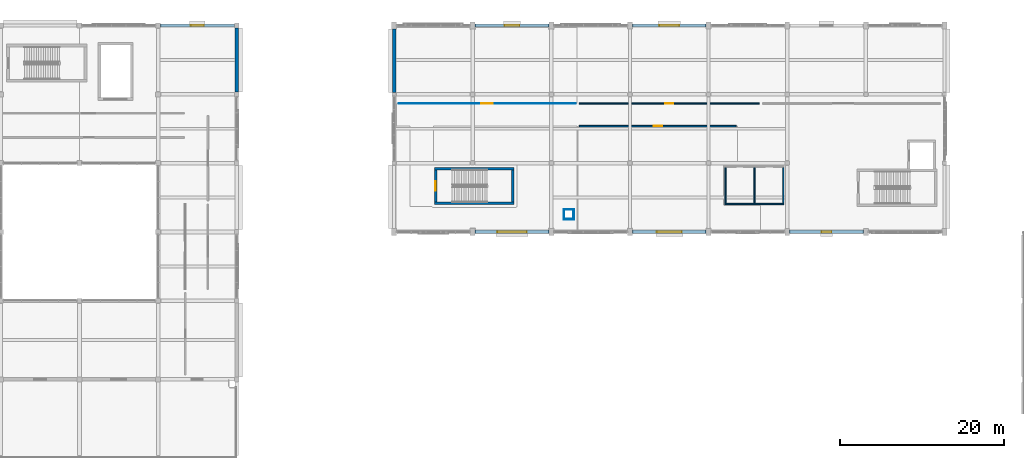
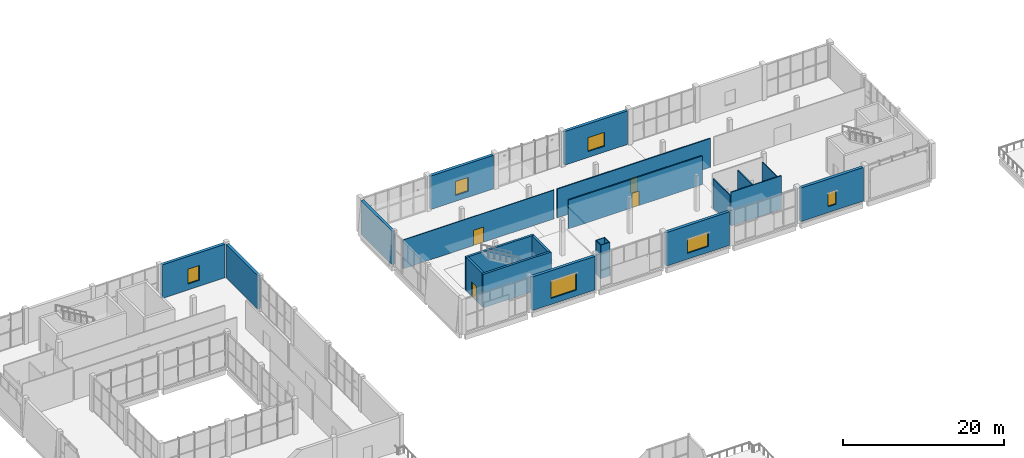
# One storey, part 57 of 83: 23 walls, 6 windows, 4 doors, 10 openings.
"""IFC4 building model written with IfcOpenShell, lengths in metres."""

from ifc_helpers import new_model, si_unit, direction, frame, frame_2d, origin, place, context, subcontext, project, spatial, rectangle, extrude, material, layer, layer_set, type_object, element, fill, save


model = new_model("IFC4")

# Units and contexts
model_context = context("Model", 3, precision=1e-05, world=origin(), true_north=direction((0.0, 1.0)))
body_context = subcontext(model_context, "Body", "Model", "MODEL_VIEW")
ifc_project = project(units=[si_unit("LENGTHUNIT", "METRE"), si_unit("AREAUNIT", "SQUARE_METRE"), si_unit("VOLUMEUNIT", "CUBIC_METRE"), si_unit("PLANEANGLEUNIT", "RADIAN"), si_unit("MASSUNIT", "GRAM", prefix="KILO")], contexts=[model_context])

# Site, building, storey
site_placement = place(None, origin())
site = spatial("IfcSite", under=ifc_project, at=site_placement, CompositionType="ELEMENT")
building_placement = place(site_placement, origin())
building = spatial("IfcBuilding", under=site, at=building_placement, Name="Shalvenor Court Art Gallery", CompositionType="ELEMENT")
storey_placement = place(building_placement, frame((0.0, 0.0, 6.0)))
storey = spatial("IfcBuildingStorey", under=building, at=storey_placement, Name="L01", CompositionType="ELEMENT", Elevation=6.0)

# Walls
ifc_material_1 = material(Name="Concrete C40/50", Category="concrete")
ifc_layer_1 = layer(ifc_material_1, 0.31005859375, Name="Concrete C40/50")
ifc_layer_set_1 = layer_set([ifc_layer_1], Name="Concrete C40/50")
wall_type_1 = type_object("IfcWallType", Name="CW-W2", PredefinedType="SHEAR", material=ifc_layer_set_1)
wall_1_placement = place(storey_placement, frame((62.528076171875, 104.9169921875, 0.0), z_axis=(0.0, 0.0, 1.0), x_axis=(1.0, 0.0, 0.0)))
element("IfcWall", 1, at=wall_1_placement, inside=storey, type_object=wall_type_1, Name="L01 C9 Stair Core Shear Wall N", PredefinedType="SHEAR", context=body_context, shape_type="SweptSolid", body=[
    extrude(rectangle(XDim=9.743896484375, YDim=0.31005859375, at=frame_2d((4.8720703125, 0.0))), origin(), (0.0, 0.0, 1.0), 5.080078125),
])
wall_2_placement = place(storey_placement, frame((72.116943359375, 104.761962890625, 0.0), z_axis=(0.0, 0.0, 1.0), x_axis=(0.0, -1.0, 0.0)))
element("IfcWall", 2, at=wall_2_placement, inside=storey, type_object=wall_type_1, Name="L01 C9 Stair Core Shear Wall E", PredefinedType="SHEAR", context=body_context, shape_type="SweptSolid", body=[
    extrude(rectangle(XDim=3.924072265625, YDim=0.31005859375, at=frame_2d((1.9619140625, 0.0))), origin(), (0.0, 0.0, 1.0), 5.080078125),
])
wall_3_placement = place(storey_placement, frame((72.27197265625, 100.68310546875, 0.0), z_axis=(0.0, 0.0, 1.0), x_axis=(-1.0, 0.0, 0.0)))
element("IfcWall", 3, at=wall_3_placement, inside=storey, type_object=wall_type_1, Name="L01 C9 Stair Core Shear Wall S", PredefinedType="SHEAR", context=body_context, shape_type="SweptSolid", body=[
    extrude(rectangle(XDim=9.743896484375, YDim=0.31005859375, at=frame_2d((4.8720703125, 0.0))), origin(), (0.0, 0.0, 1.0), 5.080078125),
])

# Wall, opening, door
wall_4_placement = place(storey_placement, frame((62.68310546875, 100.837890625, 0.0), z_axis=(0.0, 0.0, 1.0), x_axis=(0.0, 1.0, 0.0)))
wall_4 = element("IfcWall", 4, at=wall_4_placement, inside=storey, type_object=wall_type_1, Name="L01 C9 Stair Core Shear Wall W", PredefinedType="SHEAR", context=body_context, shape_type="SweptSolid", body=[
    extrude(rectangle(XDim=3.924072265625, YDim=0.31005859375, at=frame_2d((1.9619140625, 0.0))), origin(), (0.0, 0.0, 1.0), 5.080078125),
])
opening_1_placement = place(wall_4_placement, frame((1.362060546875, 0.0, 0.0)))
opening_1 = element("IfcOpeningElement", 5, at=opening_1_placement, cuts=wall_4, Name="Opening FD-01", PredefinedType="OPENING", context=body_context, shape_type="SweptSolid", body=[
    extrude(rectangle(XDim=1.199951171875, YDim=2.199951171875, at=frame_2d((0.60009765625, 1.10009765625))), frame((0.0, 0.1650390625, 0.0), z_axis=(0.0, -1.0, 0.0), x_axis=(1.0, 0.0, 0.0)), (0.0, 0.0, 1.0), 0.330078125),
])
ifc_material_2 = material(Name="Fire-rated steel stair doorset", Category="steel")
door_type_1 = type_object("IfcDoorType", Name="FD-01", OperationType="NOTDEFINED", PredefinedType="DOOR", material=ifc_material_2)
door_1_placement = place(opening_1_placement, origin())
door_1 = element("IfcDoor", 6, at=door_1_placement, inside=storey, type_object=door_type_1, Name="DR-ST-L01-C9 L01 ST-09 Fire Stair Door", OperationType="SINGLE_SWING_RIGHT", OverallHeight=2.199951171875, OverallWidth=1.199951171875, PredefinedType="DOOR", context=body_context, shape_type="SweptSolid", body=[
    extrude(rectangle(XDim=1.199951171875, YDim=2.199951171875, at=frame_2d((0.60009765625, 1.10009765625))), frame((0.0, 0.02490234375, 0.0), z_axis=(0.0, -1.0, 0.0), x_axis=(1.0, 0.0, 0.0)), (0.0, 0.0, 1.0), 0.050048828125),
])
fill(opening_1, door_1)

# Wall, opening, window
ifc_material_3 = material(Name="Concrete C40/50", Category="concrete")
ifc_layer_2 = layer(ifc_material_3, 0.419921875, Name="Concrete C40/50")
ifc_layer_set_2 = layer_set([ifc_layer_2], Name="Concrete C40/50")
wall_type_2 = type_object("IfcWallType", Name="EW-02", PredefinedType="SOLIDWALL", material=ifc_layer_set_2)
wall_5_placement = place(storey_placement, frame((67.5, 122.39990234375, 0.0), z_axis=(0.0, 0.0, 1.0), x_axis=(1.0, 0.0, 0.0)))
wall_5 = element("IfcWall", 7, at=wall_5_placement, inside=storey, type_object=wall_type_2, Name="L01 V2 Exterior Wall WL-L01-0132", PredefinedType="SOLIDWALL", context=body_context, shape_type="SweptSolid", body=[
    extrude(rectangle(XDim=9.0, YDim=0.419921875, at=frame_2d((4.5, 0.0))), origin(), (0.0, 0.0, 1.0), 5.080078125),
])
opening_2_placement = place(wall_5_placement, frame((3.60009765625, 0.0, 0.89990234375)))
opening_2 = element("IfcOpeningElement", 8, at=opening_2_placement, cuts=wall_5, Name="Opening WN-05", PredefinedType="OPENING", context=body_context, shape_type="SweptSolid", body=[
    extrude(rectangle(XDim=1.800048828125, YDim=2.10009765625, at=frame_2d((0.89990234375, 1.050048828125))), frame((0.0, 0.219970703125, 0.0), z_axis=(0.0, -1.0, 0.0), x_axis=(1.0, 0.0, 0.0)), (0.0, 0.0, 1.0), 0.43994140625),
])
ifc_material_4 = material(Name="Low-iron solar-control double IGU", Category="glass")
window_type_1 = type_object("IfcWindowType", Name="WN-05", PartitioningType="SINGLE_PANEL", PredefinedType="WINDOW", material=ifc_material_4)
window_1_placement = place(opening_2_placement, origin())
window_1 = element("IfcWindow", 9, at=window_1_placement, inside=storey, type_object=window_type_1, Name="L01 Window WIN-L01-0027", OverallHeight=2.10009765625, OverallWidth=1.800048828125, PartitioningType="SINGLE_PANEL", PredefinedType="WINDOW", context=body_context, shape_type="SweptSolid", body=[
    extrude(rectangle(XDim=1.800048828125, YDim=2.10009765625, at=frame_2d((0.89990234375, 1.050048828125))), frame((0.0, 0.030029296875, 0.0), z_axis=(0.0, -1.0, 0.0), x_axis=(1.0, 0.0, 0.0)), (0.0, 0.0, 1.0), 0.06005859375),
])
fill(opening_2, window_1)

wall_6_placement = place(storey_placement, frame((86.699951171875, 122.39990234375, 0.0), z_axis=(0.0, 0.0, 1.0), x_axis=(1.0, 0.0, 0.0)))
wall_6 = element("IfcWall", 10, at=wall_6_placement, inside=storey, type_object=wall_type_2, Name="L01 V2 Exterior Wall WL-L01-0133", PredefinedType="SOLIDWALL", context=body_context, shape_type="SweptSolid", body=[
    extrude(rectangle(XDim=9.0, YDim=0.419921875, at=frame_2d((4.5, 0.0))), origin(), (0.0, 0.0, 1.0), 5.080078125),
])
opening_3_placement = place(wall_6_placement, frame((3.300048828125, 0.0, 0.89990234375)))
opening_3 = element("IfcOpeningElement", 11, at=opening_3_placement, cuts=wall_6, Name="Opening WN-06", PredefinedType="OPENING", context=body_context, shape_type="SweptSolid", body=[
    extrude(rectangle(XDim=2.39990234375, YDim=2.10009765625, at=frame_2d((1.199951171875, 1.050048828125))), frame((0.0, 0.219970703125, 0.0), z_axis=(0.0, -1.0, 0.0), x_axis=(1.0, 0.0, 0.0)), (0.0, 0.0, 1.0), 0.43994140625),
])
ifc_material_5 = material(Name="Low-iron solar-control double IGU", Category="glass")
window_type_2 = type_object("IfcWindowType", Name="WN-06", PartitioningType="SINGLE_PANEL", PredefinedType="WINDOW", material=ifc_material_5)
window_2_placement = place(opening_3_placement, origin())
window_2 = element("IfcWindow", 12, at=window_2_placement, inside=storey, type_object=window_type_2, Name="L01 Window WIN-L01-0028", OverallHeight=2.10009765625, OverallWidth=2.39990234375, PartitioningType="SINGLE_PANEL", PredefinedType="WINDOW", context=body_context, shape_type="SweptSolid", body=[
    extrude(rectangle(XDim=2.39990234375, YDim=2.10009765625, at=frame_2d((1.199951171875, 1.050048828125))), frame((0.0, 0.030029296875, 0.0), z_axis=(0.0, -1.0, 0.0), x_axis=(1.0, 0.0, 0.0)), (0.0, 0.0, 1.0), 0.06005859375),
])
fill(opening_3, window_2)

wall_7_placement = place(storey_placement, frame((114.89990234375, 97.199951171875, 0.0), z_axis=(0.0, 0.0, 1.0), x_axis=(-1.0, 0.0, 0.0)))
wall_7 = element("IfcWall", 13, at=wall_7_placement, inside=storey, type_object=wall_type_2, Name="L01 V2 Exterior Wall WL-L01-0137", PredefinedType="SOLIDWALL", context=body_context, shape_type="SweptSolid", body=[
    extrude(rectangle(XDim=9.0, YDim=0.419921875, at=frame_2d((4.5, 0.0))), origin(), (0.0, 0.0, 1.0), 5.080078125),
])
opening_4_placement = place(wall_7_placement, frame((3.89990234375, 0.0, 0.89990234375)))
opening_4 = element("IfcOpeningElement", 14, at=opening_4_placement, cuts=wall_7, Name="Opening WN-08", PredefinedType="OPENING", context=body_context, shape_type="SweptSolid", body=[
    extrude(rectangle(XDim=1.199951171875, YDim=2.10009765625, at=frame_2d((0.60009765625, 1.050048828125))), frame((0.0, 0.219970703125, 0.0), z_axis=(0.0, -1.0, 0.0), x_axis=(1.0, 0.0, 0.0)), (0.0, 0.0, 1.0), 0.43994140625),
])
ifc_material_6 = material(Name="Low-iron solar-control double IGU", Category="glass")
window_type_3 = type_object("IfcWindowType", Name="WN-08", PartitioningType="SINGLE_PANEL", PredefinedType="WINDOW", material=ifc_material_6)
window_3_placement = place(opening_4_placement, origin())
window_3 = element("IfcWindow", 15, at=window_3_placement, inside=storey, type_object=window_type_3, Name="L01 Window WIN-L01-0030", OverallHeight=2.10009765625, OverallWidth=1.199951171875, PartitioningType="SINGLE_PANEL", PredefinedType="WINDOW", context=body_context, shape_type="SweptSolid", body=[
    extrude(rectangle(XDim=1.199951171875, YDim=2.10009765625, at=frame_2d((0.60009765625, 1.050048828125))), frame((0.0, 0.030029296875, 0.0), z_axis=(0.0, -1.0, 0.0), x_axis=(1.0, 0.0, 0.0)), (0.0, 0.0, 1.0), 0.06005859375),
])
fill(opening_4, window_3)

wall_8_placement = place(storey_placement, frame((95.699951171875, 97.199951171875, 0.0), z_axis=(0.0, 0.0, 1.0), x_axis=(-1.0, 0.0, 0.0)))
wall_8 = element("IfcWall", 16, at=wall_8_placement, inside=storey, type_object=wall_type_2, Name="L01 V2 Exterior Wall WL-L01-0138", PredefinedType="SOLIDWALL", context=body_context, shape_type="SweptSolid", body=[
    extrude(rectangle(XDim=9.0, YDim=0.419921875, at=frame_2d((4.5, 0.0))), origin(), (0.0, 0.0, 1.0), 5.080078125),
])
opening_5_placement = place(wall_8_placement, frame((3.0, 0.0, 0.89990234375)))
opening_5 = element("IfcOpeningElement", 17, at=opening_5_placement, cuts=wall_8, Name="Opening WN-09", PredefinedType="OPENING", context=body_context, shape_type="SweptSolid", body=[
    extrude(rectangle(XDim=3.0, YDim=2.199951171875, at=frame_2d((1.5, 1.10009765625))), frame((0.0, 0.219970703125, 0.0), z_axis=(0.0, -1.0, 0.0), x_axis=(1.0, 0.0, 0.0)), (0.0, 0.0, 1.0), 0.43994140625),
])
ifc_material_7 = material(Name="North-light conservation clear IGU", Category="glass")
window_type_4 = type_object("IfcWindowType", Name="WN-09", PartitioningType="SINGLE_PANEL", PredefinedType="WINDOW", material=ifc_material_7)
window_4_placement = place(opening_5_placement, origin())
window_4 = element("IfcWindow", 18, at=window_4_placement, inside=storey, type_object=window_type_4, Name="L01 Window WIN-L01-0031", OverallHeight=2.199951171875, OverallWidth=3.0, PartitioningType="SINGLE_PANEL", PredefinedType="WINDOW", context=body_context, shape_type="SweptSolid", body=[
    extrude(rectangle(XDim=3.0, YDim=2.199951171875, at=frame_2d((1.5, 1.10009765625))), frame((0.0, 0.030029296875, 0.0), z_axis=(0.0, -1.0, 0.0), x_axis=(1.0, 0.0, 0.0)), (0.0, 0.0, 1.0), 0.06005859375),
])
fill(opening_5, window_4)

wall_9_placement = place(storey_placement, frame((76.5, 97.199951171875, 0.0), z_axis=(0.0, 0.0, 1.0), x_axis=(-1.0, 0.0, 0.0)))
wall_9 = element("IfcWall", 19, at=wall_9_placement, inside=storey, type_object=wall_type_2, Name="L01 V2 Exterior Wall WL-L01-0139", PredefinedType="SOLIDWALL", context=body_context, shape_type="SweptSolid", body=[
    extrude(rectangle(XDim=9.0, YDim=0.419921875, at=frame_2d((4.5, 0.0))), origin(), (0.0, 0.0, 1.0), 5.080078125),
])
opening_6_placement = place(wall_9_placement, frame((2.699951171875, 0.0, 0.89990234375)))
opening_6 = element("IfcOpeningElement", 20, at=opening_6_placement, cuts=wall_9, Name="Opening WN-10", PredefinedType="OPENING", context=body_context, shape_type="SweptSolid", body=[
    extrude(rectangle(XDim=3.60009765625, YDim=2.699951171875, at=frame_2d((1.800048828125, 1.35009765625))), frame((0.0, 0.219970703125, 0.0), z_axis=(0.0, -1.0, 0.0), x_axis=(1.0, 0.0, 0.0)), (0.0, 0.0, 1.0), 0.43994140625),
])
ifc_material_8 = material(Name="North-light conservation clear IGU", Category="glass")
window_type_5 = type_object("IfcWindowType", Name="WN-10", PartitioningType="SINGLE_PANEL", PredefinedType="WINDOW", material=ifc_material_8)
window_5_placement = place(opening_6_placement, origin())
window_5 = element("IfcWindow", 21, at=window_5_placement, inside=storey, type_object=window_type_5, Name="L01 Window WIN-L01-0032", OverallHeight=2.699951171875, OverallWidth=3.60009765625, PartitioningType="SINGLE_PANEL", PredefinedType="WINDOW", context=body_context, shape_type="SweptSolid", body=[
    extrude(rectangle(XDim=3.60009765625, YDim=2.699951171875, at=frame_2d((1.800048828125, 1.35009765625))), frame((0.0, 0.030029296875, 0.0), z_axis=(0.0, -1.0, 0.0), x_axis=(1.0, 0.0, 0.0)), (0.0, 0.0, 1.0), 0.06005859375),
])
fill(opening_6, window_5)

# Wall
wall_10_placement = place(storey_placement, frame((57.60009765625, 114.25, 0.0), z_axis=(0.0, 0.0, 1.0), x_axis=(0.0, 1.0, 0.0)))
element("IfcWall", 22, at=wall_10_placement, inside=storey, type_object=wall_type_2, Name="L01 V2 Exterior Wall WL-L01-0141", PredefinedType="SOLIDWALL", context=body_context, shape_type="SweptSolid", body=[
    extrude(rectangle(XDim=7.699951171875, YDim=0.419921875, at=frame_2d((3.85009765625, 0.0))), origin(), (0.0, 0.0, 1.0), 5.080078125),
])

# Wall, opening, window
wall_11_placement = place(storey_placement, frame((29.10009765625, 122.39990234375, 0.0), z_axis=(0.0, 0.0, 1.0), x_axis=(1.0, 0.0, 0.0)))
wall_11 = element("IfcWall", 23, at=wall_11_placement, inside=storey, type_object=wall_type_2, Name="L01 V5 Exterior Wall WL-L01-0294", PredefinedType="SOLIDWALL", context=body_context, shape_type="SweptSolid", body=[
    extrude(rectangle(XDim=9.0, YDim=0.419921875, at=frame_2d((4.5, 0.0))), origin(), (0.0, 0.0, 1.0), 5.080078125),
])
opening_7_placement = place(wall_11_placement, frame((3.699951171875, 0.0, 0.89990234375)))
opening_7 = element("IfcOpeningElement", 24, at=opening_7_placement, cuts=wall_11, Name="Opening WN-15", PredefinedType="OPENING", context=body_context, shape_type="SweptSolid", body=[
    extrude(rectangle(XDim=1.60009765625, YDim=2.25, at=frame_2d((0.800048828125, 1.125))), frame((0.0, 0.219970703125, 0.0), z_axis=(0.0, -1.0, 0.0), x_axis=(1.0, 0.0, 0.0)), (0.0, 0.0, 1.0), 0.43994140625),
])
ifc_material_9 = material(Name="Low-iron solar-control double IGU", Category="glass")
window_type_6 = type_object("IfcWindowType", Name="WN-15", PartitioningType="SINGLE_PANEL", PredefinedType="WINDOW", material=ifc_material_9)
window_6_placement = place(opening_7_placement, origin())
window_6 = element("IfcWindow", 25, at=window_6_placement, inside=storey, type_object=window_type_6, Name="L01 Window WIN-L01-0059", OverallHeight=2.25, OverallWidth=1.60009765625, PartitioningType="SINGLE_PANEL", PredefinedType="WINDOW", context=body_context, shape_type="SweptSolid", body=[
    extrude(rectangle(XDim=1.60009765625, YDim=2.25, at=frame_2d((0.800048828125, 1.125))), frame((0.0, 0.030029296875, 0.0), z_axis=(0.0, -1.0, 0.0), x_axis=(1.0, 0.0, 0.0)), (0.0, 0.0, 1.0), 0.06005859375),
])
fill(opening_7, window_6)

# Wall
wall_12_placement = place(storey_placement, frame((38.39990234375, 122.10009765625, 0.0), z_axis=(0.0, 0.0, 1.0), x_axis=(0.0, -1.0, 0.0)))
element("IfcWall", 26, at=wall_12_placement, inside=storey, type_object=wall_type_2, Name="L01 V5 Exterior Wall WL-L01-0295", PredefinedType="SOLIDWALL", context=body_context, shape_type="SweptSolid", body=[
    extrude(rectangle(XDim=7.800048828125, YDim=0.419921875, at=frame_2d((3.89990234375, 0.0))), origin(), (0.0, 0.0, 1.0), 5.080078125),
])

# Wall, opening, door
ifc_material_10 = material(Name="Plywood-backed acoustic art-hanging partition", Category="wood")
ifc_layer_3 = layer(ifc_material_10, 0.179931640625, Name="Plywood-backed acoustic art-hanging partition")
ifc_layer_set_3 = layer_set([ifc_layer_3], Name="Plywood-backed acoustic art-hanging partition")
wall_type_3 = type_object("IfcWallType", Name="PT-01", PredefinedType="PARTITIONING", material=ifc_layer_set_3)
wall_13_placement = place(storey_placement, frame((80.22998046875, 110.1201171875, 0.0), z_axis=(0.0, 0.0, 1.0), x_axis=(1.0, 0.0, 0.0)))
wall_13 = element("IfcWall", 27, at=wall_13_placement, inside=storey, type_object=wall_type_3, Name="L01 Contemporary Canvas Gallery Partition 625", PredefinedType="PARTITIONING", context=body_context, shape_type="SweptSolid", body=[
    extrude(rectangle(XDim=19.14013671875, YDim=0.179931640625, at=frame_2d((9.570068359375, 0.0))), origin(), (0.0, 0.0, 1.0), 4.35498046875),
])
opening_8_placement = place(wall_13_placement, frame((9.044921875, 0.0, 0.0)))
opening_8 = element("IfcOpeningElement", 28, at=opening_8_placement, cuts=wall_13, Name="Opening ID-04", PredefinedType="OPENING", context=body_context, shape_type="SweptSolid", body=[
    extrude(rectangle(XDim=1.050048828125, YDim=2.199951171875, at=frame_2d((0.52490234375, 1.10009765625))), frame((0.0, 0.099853515625, 0.0), z_axis=(0.0, -1.0, 0.0), x_axis=(1.0, 0.0, 0.0)), (0.0, 0.0, 1.0), 0.199951171875),
])
ifc_material_11 = material(Name="Oak-veneered accessible room doorset", Category="wood")
door_type_2 = type_object("IfcDoorType", Name="ID-04", OperationType="NOTDEFINED", PredefinedType="DOOR", material=ifc_material_11)
door_2_placement = place(opening_8_placement, origin())
door_2 = element("IfcDoor", 29, at=door_2_placement, inside=storey, type_object=door_type_2, Name="DR-RM-L01-0156 L01 Contemporary Canvas Gallery Door", OperationType="SINGLE_SWING_RIGHT", OverallHeight=2.199951171875, OverallWidth=1.050048828125, PredefinedType="DOOR", context=body_context, shape_type="SweptSolid", body=[
    extrude(rectangle(XDim=1.050048828125, YDim=2.199951171875, at=frame_2d((0.52490234375, 1.10009765625))), frame((0.0, 0.02490234375, 0.0), z_axis=(0.0, -1.0, 0.0), x_axis=(1.0, 0.0, 0.0)), (0.0, 0.0, 1.0), 0.050048828125),
])
fill(opening_8, door_2)

ifc_material_12 = material(Name="Double-stud acoustic gallery partition", Category="other")
ifc_layer_4 = layer(ifc_material_12, 0.1650390625, Name="Double-stud acoustic gallery partition")
ifc_layer_set_4 = layer_set([ifc_layer_4], Name="Double-stud acoustic gallery partition")
wall_type_4 = type_object("IfcWallType", Name="PT-02", PredefinedType="PARTITIONING", material=ifc_layer_set_4)
wall_14_placement = place(storey_placement, frame((102.169921875, 112.8798828125, 0.0), z_axis=(0.0, 0.0, 1.0), x_axis=(-1.0, 0.0, 0.0)))
wall_14 = element("IfcWall", 30, at=wall_14_placement, inside=storey, type_object=wall_type_4, Name="L01 Contemporary Canvas Gallery Wing B Partition 626", PredefinedType="PARTITIONING", context=body_context, shape_type="SweptSolid", body=[
    extrude(rectangle(XDim=21.93994140625, YDim=0.1650390625, at=frame_2d((10.969970703125, 0.0))), origin(), (0.0, 0.0, 1.0), 4.35498046875),
])
opening_9_placement = place(wall_14_placement, frame((10.469970703125, 0.0, 0.0)))
opening_9 = element("IfcOpeningElement", 31, at=opening_9_placement, cuts=wall_14, Name="Opening ID-05", PredefinedType="OPENING", context=body_context, shape_type="SweptSolid", body=[
    extrude(rectangle(XDim=1.0, YDim=2.14990234375, at=frame_2d((0.5, 1.074951171875))), frame((0.0, 0.092529296875, 0.0), z_axis=(0.0, -1.0, 0.0), x_axis=(1.0, 0.0, 0.0)), (0.0, 0.0, 1.0), 0.18505859375),
])
ifc_material_13 = material(Name="Timber office single doorset", Category="wood")
door_type_3 = type_object("IfcDoorType", Name="ID-05", OperationType="NOTDEFINED", PredefinedType="DOOR", material=ifc_material_13)
door_3_placement = place(opening_9_placement, origin())
door_3 = element("IfcDoor", 32, at=door_3_placement, inside=storey, type_object=door_type_3, Name="DR-RM-L01-0157 L01 Contemporary Canvas Gallery Wing B Door", OperationType="SINGLE_SWING_LEFT", OverallHeight=2.14990234375, OverallWidth=1.0, PredefinedType="DOOR", context=body_context, shape_type="SweptSolid", body=[
    extrude(rectangle(XDim=1.0, YDim=2.14990234375, at=frame_2d((0.5, 1.074951171875))), frame((0.0, 0.02490234375, 0.0), z_axis=(0.0, -1.0, 0.0), x_axis=(1.0, 0.0, 0.0)), (0.0, 0.0, 1.0), 0.050048828125),
])
fill(opening_9, door_3)

# Walls
ifc_material_14 = material(Name="Moisture-resistant sanitary partition", Category="other")
ifc_layer_5 = layer(ifc_material_14, 0.14990234375, Name="Moisture-resistant sanitary partition")
ifc_layer_set_5 = layer_set([ifc_layer_5], Name="Moisture-resistant sanitary partition")
wall_type_5 = type_object("IfcWallType", Name="PT-03", PredefinedType="PARTITIONING", material=ifc_layer_set_5)
wall_15_placement = place(storey_placement, frame((98.0, 100.60009765625, 0.0), z_axis=(0.0, 0.0, 1.0), x_axis=(1.0, 0.0, 0.0)))
element("IfcWall", 33, at=wall_15_placement, inside=storey, type_object=wall_type_5, Name="L01 C5 Restroom Back Partition", PredefinedType="PARTITIONING", context=body_context, shape_type="SweptSolid", body=[
    extrude(rectangle(XDim=7.199951171875, YDim=0.14990234375, at=frame_2d((3.60009765625, 0.0))), origin(), (0.0, 0.0, 1.0), 5.080078125),
])
for number, where, z_axis, x_axis, name in (
    (34, (98.074951171875, 100.760009765625, 0.0), (0.0, 0.0, 1.0), (0.0, 1.0, 0.0), "L01 C5 Restroom Partition L"),
    (35, (101.60009765625, 100.760009765625, 0.0), (0.0, 0.0, 1.0), (0.0, 1.0, 0.0), "L01 C5 Restroom Partition M"),
    (36, (105.125, 100.760009765625, 0.0), (0.0, 0.0, 1.0), (0.0, 1.0, 0.0), "L01 C5 Restroom Partition R"),
):
    element("IfcWall", number, at=place(storey_placement, frame(where, z_axis=z_axis, x_axis=x_axis)), inside=storey, type_object=wall_type_5, Name=name, PredefinedType="PARTITIONING", context=body_context, shape_type="SweptSolid", body=[
        extrude(rectangle(XDim=4.280029296875, YDim=0.14990234375, at=frame_2d((2.14013671875, 0.0))), origin(), (0.0, 0.0, 1.0), 4.455078125),
    ])

# Wall, opening, door
ifc_material_15 = material(Name="Lightweight office gypsum partition", Category="other")
ifc_layer_6 = layer(ifc_material_15, 0.1201171875, Name="Lightweight office gypsum partition")
ifc_layer_set_6 = layer_set([ifc_layer_6], Name="Lightweight office gypsum partition")
wall_type_6 = type_object("IfcWallType", Name="PT-05", PredefinedType="PARTITIONING", material=ifc_layer_set_6)
wall_16_placement = place(storey_placement, frame((79.77001953125, 112.8798828125, 0.0), z_axis=(0.0, 0.0, 1.0), x_axis=(-1.0, 0.0, 0.0)))
wall_16 = element("IfcWall", 37, at=wall_16_placement, inside=storey, type_object=wall_type_6, Name="L01 Permanent Painting Gallery Partition 624", PredefinedType="PARTITIONING", context=body_context, shape_type="SweptSolid", body=[
    extrude(rectangle(XDim=21.6201171875, YDim=0.1201171875, at=frame_2d((10.81005859375, 0.0))), origin(), (0.0, 0.0, 1.0), 4.35498046875),
])
opening_10_placement = place(wall_16_placement, frame((10.110107421875, 0.0, 0.0)))
opening_10 = element("IfcOpeningElement", 38, at=opening_10_placement, cuts=wall_16, Name="Opening ID-03", PredefinedType="OPENING", context=body_context, shape_type="SweptSolid", body=[
    extrude(rectangle(XDim=1.39990234375, YDim=2.300048828125, at=frame_2d((0.699951171875, 1.14990234375))), frame((0.0, 0.070068359375, 0.0), z_axis=(0.0, -1.0, 0.0), x_axis=(1.0, 0.0, 0.0)), (0.0, 0.0, 1.0), 0.14013671875),
])
ifc_material_16 = material(Name="Timber studio double leaf doorset", Category="wood")
door_type_4 = type_object("IfcDoorType", Name="ID-03", OperationType="NOTDEFINED", PredefinedType="DOOR", material=ifc_material_16)
door_4_placement = place(opening_10_placement, origin())
door_4 = element("IfcDoor", 39, at=door_4_placement, inside=storey, type_object=door_type_4, Name="DR-RM-L01-0155 L01 Permanent Painting Gallery Door", OperationType="DOUBLE_DOOR_SINGLE_SWING", OverallHeight=2.300048828125, OverallWidth=1.39990234375, PredefinedType="DOOR", context=body_context, shape_type="SweptSolid", body=[
    extrude(rectangle(XDim=1.39990234375, YDim=2.300048828125, at=frame_2d((0.699951171875, 1.14990234375))), frame((0.0, 0.02490234375, 0.0), z_axis=(0.0, -1.0, 0.0), x_axis=(1.0, 0.0, 0.0)), (0.0, 0.0, 1.0), 0.050048828125),
])
fill(opening_10, door_4)

# Walls
ifc_material_17 = material(Name="Service riser shaft gypsum partition", Category="other")
ifc_layer_7 = layer(ifc_material_17, 0.10009765625, Name="Service riser shaft gypsum partition")
ifc_layer_set_7 = layer_set([ifc_layer_7], Name="Service riser shaft gypsum partition")
wall_type_7 = type_object("IfcWallType", Name="PT-06", PredefinedType="PARTITIONING", material=ifc_layer_set_7)
for number, where, z_axis, x_axis, name in (
    (40, (78.300048828125, 99.949951171875, 0.0), (0.0, 0.0, 1.0), (1.0, 0.0, 0.0), "L01 Riser Shaft Wall 1.N"),
    (41, (79.60009765625, 98.75, 0.0), (0.0, 0.0, 1.0), (-1.0, 0.0, 0.0), "L01 Riser Shaft Wall 1.S"),
):
    element("IfcWall", number, at=place(storey_placement, frame(where, z_axis=z_axis, x_axis=x_axis)), inside=storey, type_object=wall_type_7, Name=name, PredefinedType="PARTITIONING", context=body_context, shape_type="SweptSolid", body=[
        extrude(rectangle(XDim=1.300048828125, YDim=0.10009765625, at=frame_2d((0.64990234375, 0.0))), origin(), (0.0, 0.0, 1.0), 5.080078125),
    ])
for number, where, z_axis, x_axis, name in (
    (42, (78.35009765625, 98.800048828125, 0.0), (0.0, 0.0, 1.0), (0.0, 1.0, 0.0), "L01 Riser Shaft Wall 1.W"),
    (43, (79.550048828125, 99.89990234375, 0.0), (0.0, 0.0, 1.0), (0.0, -1.0, 0.0), "L01 Riser Shaft Wall 1.E"),
):
    element("IfcWall", number, at=place(storey_placement, frame(where, z_axis=z_axis, x_axis=x_axis)), inside=storey, type_object=wall_type_7, Name=name, PredefinedType="PARTITIONING", context=body_context, shape_type="SweptSolid", body=[
        extrude(rectangle(XDim=1.099853515625, YDim=0.10009765625, at=frame_2d((0.5498046875, 0.0))), origin(), (0.0, 0.0, 1.0), 5.080078125),
    ])

save(model, "model.ifc")
